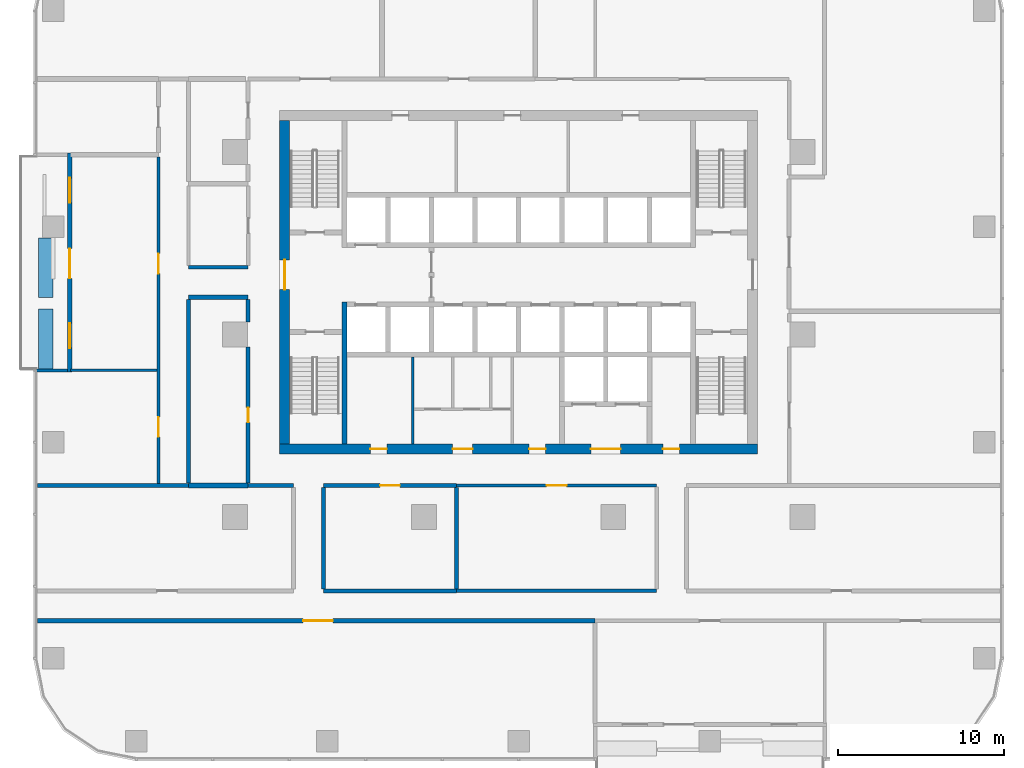
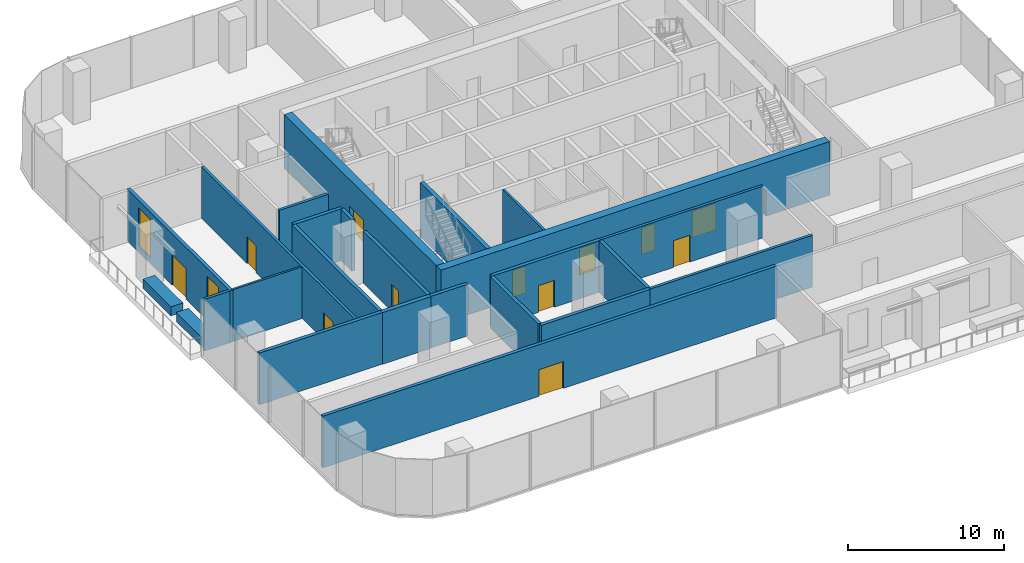
# One storey, part 7 of 15: 25 walls, 13 doors, 2 windows, 15 openings.
"""IFC4 building model written with IfcOpenShell, lengths in metres."""

from ifc_helpers import new_model, si_unit, direction, frame, frame_2d, origin, place, context, subcontext, project, spatial, rectangle, extrude, material, layer, layer_set, type_object, element, fill, save


model = new_model("IFC4")

# Units and contexts
model_context = context("Model", 3, precision=1e-05, world=origin(), true_north=direction((0.0, 1.0)))
body_context = subcontext(model_context, "Body", "Model", "MODEL_VIEW")
ifc_project = project(units=[si_unit("LENGTHUNIT", "METRE"), si_unit("AREAUNIT", "SQUARE_METRE"), si_unit("VOLUMEUNIT", "CUBIC_METRE"), si_unit("PLANEANGLEUNIT", "RADIAN"), si_unit("MASSUNIT", "GRAM", prefix="KILO")], contexts=[model_context])

# Site, building, storey
site_placement = place(None, origin())
site = spatial("IfcSite", under=ifc_project, at=site_placement, CompositionType="ELEMENT")
building_placement = place(site_placement, origin())
building = spatial("IfcBuilding", under=site, at=building_placement, Name="Mopane Tessera Tower", CompositionType="ELEMENT")
storey_placement = place(building_placement, frame((0.0, 0.0, 99.10009765625)))
storey = spatial("IfcBuildingStorey", under=building, at=storey_placement, Name="L19", CompositionType="ELEMENT", Elevation=99.10009765625)

# Wall
ifc_material_1 = material(Name="Fire-rated gypsum board partition")
ifc_layer_1 = layer(ifc_material_1, 0.14990234375)
ifc_layer_set_1 = layer_set([ifc_layer_1], Name="Fire-rated gypsum board partition")
wall_type_1 = type_object("IfcWallType", Name="Core room partition 150 mm", PredefinedType="PARTITIONING", material=ifc_layer_set_1)
wall_1_placement = place(storey_placement, frame((-6.375, -6.60009765625, 0.0), z_axis=(0.0, 0.0, 1.0), x_axis=(0.0, 1.0, 0.0)))
element("IfcWall", 1, at=wall_1_placement, inside=storey, type_object=wall_type_1, Name="L19 Room partition", PredefinedType="PARTITIONING", context=body_context, shape_type="SweptSolid", body=[
    extrude(rectangle(XDim=5.25, YDim=0.14990234375, at=frame_2d((2.625, 0.0))), origin(), (0.0, 0.0, 1.0), 4.199951171875),
])

# Wall, openings, doors
ifc_material_2 = material(Name="Concrete C70/85", Category="concrete")
ifc_layer_2 = layer(ifc_material_2, 0.60009765625)
ifc_layer_set_2 = layer_set([ifc_layer_2], Name="Concrete C70/85")
wall_type_2 = type_object("IfcWallType", Name="Core shear wall 600 mm", PredefinedType="SHEAR", material=ifc_layer_set_2)
wall_2_placement = place(storey_placement, frame((-14.39990234375, -6.89990234375, 0.0), z_axis=(0.0, 0.0, 1.0), x_axis=(1.0, 0.0, 0.0)))
wall_2 = element("IfcWall", 2, at=wall_2_placement, inside=storey, type_object=wall_type_2, Name="L19 Core wall south", PredefinedType="SHEAR", context=body_context, shape_type="SweptSolid", body=[
    extrude(rectangle(XDim=28.7998046875, YDim=0.60009765625, at=frame_2d((14.39990234375, 0.0))), origin(), (0.0, 0.0, 1.0), 4.199951171875),
])
opening_1_placement = place(wall_2_placement, frame((5.46240234375, 0.0, 0.0)))
opening_1 = element("IfcOpeningElement", 3, at=opening_1_placement, cuts=wall_2, Name="Opening RD1", PredefinedType="OPENING", context=body_context, shape_type="SweptSolid", body=[
    extrude(rectangle(XDim=1.0, YDim=2.10009765625, at=frame_2d((0.5, 1.050048828125))), frame((0.0, 0.31201171875, 0.0), z_axis=(0.0, -1.0, 0.0), x_axis=(1.0, 0.0, 0.0)), (0.0, 0.0, 1.0), 0.6240234375),
])
opening_2_placement = place(wall_2_placement, frame((10.425048828125, 0.0, 0.0)))
opening_2 = element("IfcOpeningElement", 4, at=opening_2_placement, cuts=wall_2, Name="Opening WD3", PredefinedType="OPENING", context=body_context, shape_type="SweptSolid", body=[
    extrude(rectangle(XDim=1.199951171875, YDim=2.10009765625, at=frame_2d((0.60009765625, 1.050048828125))), frame((0.0, 0.31201171875, 0.0), z_axis=(0.0, -1.0, 0.0), x_axis=(1.0, 0.0, 0.0)), (0.0, 0.0, 1.0), 0.6240234375),
])
opening_3_placement = place(wall_2_placement, frame((15.02490234375, 0.0, 0.0)))
opening_3 = element("IfcOpeningElement", 5, at=opening_3_placement, cuts=wall_2, Name="Opening RD1", PredefinedType="OPENING", context=body_context, shape_type="SweptSolid", body=[
    extrude(rectangle(XDim=1.0, YDim=2.10009765625, at=frame_2d((0.5, 1.050048828125))), frame((0.0, 0.31201171875, 0.0), z_axis=(0.0, -1.0, 0.0), x_axis=(1.0, 0.0, 0.0)), (0.0, 0.0, 1.0), 0.6240234375),
])
opening_4_placement = place(wall_2_placement, frame((18.75, 0.0, 0.0)))
opening_4 = element("IfcOpeningElement", 6, at=opening_4_placement, cuts=wall_2, Name="Opening SD2", PredefinedType="OPENING", context=body_context, shape_type="SweptSolid", body=[
    extrude(rectangle(XDim=1.800048828125, YDim=2.10009765625, at=frame_2d((0.89990234375, 1.050048828125))), frame((0.0, 0.31201171875, 0.0), z_axis=(0.0, -1.0, 0.0), x_axis=(1.0, 0.0, 0.0)), (0.0, 0.0, 1.0), 0.6240234375),
])
opening_5_placement = place(wall_2_placement, frame((23.08740234375, 0.0, 0.0)))
opening_5 = element("IfcOpeningElement", 7, at=opening_5_placement, cuts=wall_2, Name="Opening RD1", PredefinedType="OPENING", context=body_context, shape_type="SweptSolid", body=[
    extrude(rectangle(XDim=1.0, YDim=2.10009765625, at=frame_2d((0.5, 1.050048828125))), frame((0.0, 0.31201171875, 0.0), z_axis=(0.0, -1.0, 0.0), x_axis=(1.0, 0.0, 0.0)), (0.0, 0.0, 1.0), 0.6240234375),
])
ifc_material_3 = material(Name="Steel fire door", Category="steel")
door_type_1 = type_object("IfcDoorType", Name="Core entrance double door 1800 x 2100", OperationType="DOUBLE_DOOR_SINGLE_SWING", PredefinedType="DOOR", material=ifc_material_3)
door_1_placement = place(opening_4_placement, origin())
door_1 = element("IfcDoor", 8, at=door_1_placement, inside=storey, type_object=door_type_1, Name="L19 Service lobby door", OperationType="DOUBLE_DOOR_SINGLE_SWING", OverallHeight=2.10009765625, OverallWidth=1.800048828125, PredefinedType="DOOR", context=body_context, shape_type="SweptSolid", body=[
    extrude(rectangle(XDim=1.800048828125, YDim=2.10009765625, at=frame_2d((0.89990234375, 1.050048828125))), frame((0.0, 0.02490234375, 0.0), z_axis=(0.0, -1.0, 0.0), x_axis=(1.0, 0.0, 0.0)), (0.0, 0.0, 1.0), 0.050048828125),
])
fill(opening_4, door_1)
ifc_material_4 = material(Name="Timber door", Category="wood")
door_type_2 = type_object("IfcDoorType", Name="Core room door 1000 x 2100", OperationType="SINGLE_SWING_LEFT", PredefinedType="DOOR", material=ifc_material_4)
door_2_placement = place(opening_1_placement, origin())
door_2 = element("IfcDoor", 9, at=door_2_placement, inside=storey, type_object=door_type_2, Name="L19 Room door", OperationType="SINGLE_SWING_LEFT", OverallHeight=2.10009765625, OverallWidth=1.0, PredefinedType="DOOR", context=body_context, shape_type="SweptSolid", body=[
    extrude(rectangle(XDim=1.0, YDim=2.10009765625, at=frame_2d((0.5, 1.050048828125))), frame((0.0, 0.02490234375, 0.0), z_axis=(0.0, -1.0, 0.0), x_axis=(1.0, 0.0, 0.0)), (0.0, 0.0, 1.0), 0.050048828125),
])
fill(opening_1, door_2)
door_3_placement = place(opening_3_placement, origin())
door_3 = element("IfcDoor", 10, at=door_3_placement, inside=storey, type_object=door_type_2, Name="L19 Room door", OperationType="SINGLE_SWING_LEFT", OverallHeight=2.10009765625, OverallWidth=1.0, PredefinedType="DOOR", context=body_context, shape_type="SweptSolid", body=[
    extrude(rectangle(XDim=1.0, YDim=2.10009765625, at=frame_2d((0.5, 1.050048828125))), frame((0.0, 0.02490234375, 0.0), z_axis=(0.0, -1.0, 0.0), x_axis=(1.0, 0.0, 0.0)), (0.0, 0.0, 1.0), 0.050048828125),
])
fill(opening_3, door_3)
door_4_placement = place(opening_5_placement, origin())
door_4 = element("IfcDoor", 11, at=door_4_placement, inside=storey, type_object=door_type_2, Name="L19 Room door", OperationType="SINGLE_SWING_LEFT", OverallHeight=2.10009765625, OverallWidth=1.0, PredefinedType="DOOR", context=body_context, shape_type="SweptSolid", body=[
    extrude(rectangle(XDim=1.0, YDim=2.10009765625, at=frame_2d((0.5, 1.050048828125))), frame((0.0, 0.02490234375, 0.0), z_axis=(0.0, -1.0, 0.0), x_axis=(1.0, 0.0, 0.0)), (0.0, 0.0, 1.0), 0.050048828125),
])
fill(opening_5, door_4)
ifc_material_5 = material(Name="Timber door", Category="wood")
door_type_3 = type_object("IfcDoorType", Name="WC lobby door 1200 x 2100", OperationType="SINGLE_SWING_LEFT", PredefinedType="DOOR", material=ifc_material_5)
door_5_placement = place(opening_2_placement, origin())
door_5 = element("IfcDoor", 12, at=door_5_placement, inside=storey, type_object=door_type_3, Name="L19 WC lobby door", OperationType="SINGLE_SWING_LEFT", OverallHeight=2.10009765625, OverallWidth=1.199951171875, PredefinedType="DOOR", context=body_context, shape_type="SweptSolid", body=[
    extrude(rectangle(XDim=1.199951171875, YDim=2.10009765625, at=frame_2d((0.60009765625, 1.050048828125))), frame((0.0, 0.02490234375, 0.0), z_axis=(0.0, -1.0, 0.0), x_axis=(1.0, 0.0, 0.0)), (0.0, 0.0, 1.0), 0.050048828125),
])
fill(opening_2, door_5)

# Wall, opening, door
wall_3_placement = place(storey_placement, frame((-14.10009765625, -6.60009765625, 0.0), z_axis=(0.0, 0.0, 1.0), x_axis=(0.0, 1.0, 0.0)))
wall_3 = element("IfcWall", 13, at=wall_3_placement, inside=storey, type_object=wall_type_2, Name="L19 Core wall west", PredefinedType="SHEAR", context=body_context, shape_type="SweptSolid", body=[
    extrude(rectangle(XDim=19.5, YDim=0.60009765625, at=frame_2d((9.75, 0.0))), origin(), (0.0, 0.0, 1.0), 4.199951171875),
])
opening_6_placement = place(wall_3_placement, frame((9.300048828125, 0.0, 0.0)))
opening_6 = element("IfcOpeningElement", 14, at=opening_6_placement, cuts=wall_3, Name="Opening SD2", PredefinedType="OPENING", context=body_context, shape_type="SweptSolid", body=[
    extrude(rectangle(XDim=1.800048828125, YDim=2.10009765625, at=frame_2d((0.89990234375, 1.050048828125))), frame((0.0, 0.31201171875, 0.0), z_axis=(0.0, -1.0, 0.0), x_axis=(1.0, 0.0, 0.0)), (0.0, 0.0, 1.0), 0.6240234375),
])
door_6_placement = place(opening_6_placement, origin())
door_6 = element("IfcDoor", 15, at=door_6_placement, inside=storey, type_object=door_type_1, Name="L19 Core entrance door west", OperationType="DOUBLE_DOOR_SINGLE_SWING", OverallHeight=2.10009765625, OverallWidth=1.800048828125, PredefinedType="DOOR", context=body_context, shape_type="SweptSolid", body=[
    extrude(rectangle(XDim=1.800048828125, YDim=2.10009765625, at=frame_2d((0.89990234375, 1.050048828125))), frame((0.0, 0.02490234375, 0.0), z_axis=(0.0, -1.0, 0.0), x_axis=(1.0, 0.0, 0.0)), (0.0, 0.0, 1.0), 0.050048828125),
])
fill(opening_6, door_6)

# Walls
ifc_material_6 = material(Name="Concrete C60/75", Category="concrete")
ifc_layer_3 = layer(ifc_material_6, 0.300048828125)
ifc_layer_set_3 = layer_set([ifc_layer_3], Name="Concrete C60/75")
wall_type_3 = type_object("IfcWallType", Name="Core spine wall 300 mm", PredefinedType="SHEAR", material=ifc_layer_set_3)
wall_4_placement = place(storey_placement, frame((-10.5, -6.60009765625, 0.0), z_axis=(0.0, 0.0, 1.0), x_axis=(0.0, 1.0, 0.0)))
element("IfcWall", 16, at=wall_4_placement, inside=storey, type_object=wall_type_3, Name="L19 Core spine wall", PredefinedType="SHEAR", context=body_context, shape_type="SweptSolid", body=[
    extrude(rectangle(XDim=8.550048828125, YDim=0.300048828125, at=frame_2d((4.27490234375, 0.0))), origin(), (0.0, 0.0, 1.0), 4.199951171875),
])
ifc_material_7 = material(Name="Gypsum board on steel studs, two layers each face, mineral wool infill", Category="steel")
ifc_layer_4 = layer(ifc_material_7, 0.199951171875)
ifc_layer_set_4 = layer_set([ifc_layer_4], Name="Gypsum board on steel studs, two layers each face, mineral wool infill")
wall_type_4 = type_object("IfcWallType", Name="Gypsum board corridor wall 200, rated EI 60", PredefinedType="PARTITIONING", material=ifc_layer_set_4)
wall_5_placement = place(storey_placement, frame((-3.735107421875, -15.449951171875, 0.0), z_axis=(0.0, 0.0, 1.0), x_axis=(1.0, 0.0, 0.0)))
element("IfcWall", 17, at=wall_5_placement, inside=storey, type_object=wall_type_4, Name="Partition L19:002", PredefinedType="PARTITIONING", context=body_context, shape_type="SweptSolid", body=[
    extrude(rectangle(XDim=12.050048828125, YDim=0.199951171875, at=frame_2d((6.02490234375, 0.0))), origin(), (0.0, 0.0, 1.0), 4.0498046875),
])

# Wall, opening, door
wall_6_placement = place(storey_placement, frame((-3.735107421875, -9.10009765625, 0.0), z_axis=(0.0, 0.0, 1.0), x_axis=(1.0, 0.0, 0.0)))
wall_6 = element("IfcWall", 18, at=wall_6_placement, inside=storey, type_object=wall_type_4, Name="Partition L19:006", PredefinedType="PARTITIONING", context=body_context, shape_type="SweptSolid", body=[
    extrude(rectangle(XDim=12.050048828125, YDim=0.199951171875, at=frame_2d((6.02490234375, 0.0))), origin(), (0.0, 0.0, 1.0), 4.0498046875),
])
opening_7_placement = place(wall_6_placement, frame((5.425048828125, 0.0, 0.0)))
opening_7 = element("IfcOpeningElement", 19, at=opening_7_placement, cuts=wall_6, Name="Opening L19-11", PredefinedType="OPENING", context=body_context, shape_type="SweptSolid", body=[
    extrude(rectangle(XDim=1.199951171875, YDim=2.10009765625, at=frame_2d((0.60009765625, 1.050048828125))), frame((0.0, 0.112060546875, 0.0), z_axis=(0.0, -1.0, 0.0), x_axis=(1.0, 0.0, 0.0)), (0.0, 0.0, 1.0), 0.223876953125),
])
ifc_material_8 = material(Name="Timber veneered steel-framed fire door", Category="steel")
door_type_4 = type_object("IfcDoorType", Name="Fire door FD60 1200 x 2100", OperationType="SINGLE_SWING_LEFT", PredefinedType="DOOR", material=ifc_material_8)
door_7_placement = place(opening_7_placement, origin())
door_7 = element("IfcDoor", 20, at=door_7_placement, inside=storey, type_object=door_type_4, Name="Door L19-11", ObjectType="D15A", OperationType="SINGLE_SWING_LEFT", OverallHeight=2.10009765625, OverallWidth=1.199951171875, PredefinedType="DOOR", context=body_context, shape_type="SweptSolid", body=[
    extrude(rectangle(XDim=1.199951171875, YDim=2.10009765625, at=frame_2d((0.60009765625, 1.050048828125))), frame((0.0, 0.02490234375, 0.0), z_axis=(0.0, -1.0, 0.0), x_axis=(1.0, 0.0, 0.0)), (0.0, 0.0, 1.0), 0.050048828125),
])
fill(opening_7, door_7)

# Wall
wall_7_placement = place(storey_placement, frame((-19.89990234375, 4.050048828125, 0.0), z_axis=(0.0, 0.0, 1.0), x_axis=(1.0, 0.0, 0.0)))
element("IfcWall", 21, at=wall_7_placement, inside=storey, type_object=wall_type_4, Name="Partition L19:015", PredefinedType="PARTITIONING", context=body_context, shape_type="SweptSolid", body=[
    extrude(rectangle(XDim=3.599853515625, YDim=0.199951171875, at=frame_2d((1.7998046875, 0.0))), origin(), (0.0, 0.0, 1.0), 4.0498046875),
])

# Wall, openings, doors
wall_8_placement = place(storey_placement, frame((-21.699951171875, -8.97509765625, 0.0), z_axis=(0.0, 0.0, 1.0), x_axis=(0.0, 1.0, 0.0)))
wall_8 = element("IfcWall", 22, at=wall_8_placement, inside=storey, type_object=wall_type_4, Name="Partition L19:024", PredefinedType="PARTITIONING", context=body_context, shape_type="SweptSolid", body=[
    extrude(rectangle(XDim=19.68505859375, YDim=0.199951171875, at=frame_2d((9.842529296875, 0.0))), origin(), (0.0, 0.0, 1.0), 4.0498046875),
])
opening_8_placement = place(wall_8_placement, frame((2.804931640625, 0.0, 0.0)))
opening_8 = element("IfcOpeningElement", 23, at=opening_8_placement, cuts=wall_8, Name="Opening L19-04", PredefinedType="OPENING", context=body_context, shape_type="SweptSolid", body=[
    extrude(rectangle(XDim=1.199951171875, YDim=2.10009765625, at=frame_2d((0.60009765625, 1.050048828125))), frame((0.0, 0.112060546875, 0.0), z_axis=(0.0, -1.0, 0.0), x_axis=(1.0, 0.0, 0.0)), (0.0, 0.0, 1.0), 0.223876953125),
])
opening_9_placement = place(wall_8_placement, frame((12.6474609375, 0.0, 0.0)))
opening_9 = element("IfcOpeningElement", 24, at=opening_9_placement, cuts=wall_8, Name="Opening L19-15", PredefinedType="OPENING", context=body_context, shape_type="SweptSolid", body=[
    extrude(rectangle(XDim=1.199951171875, YDim=2.10009765625, at=frame_2d((0.60009765625, 1.050048828125))), frame((0.0, 0.112060546875, 0.0), z_axis=(0.0, -1.0, 0.0), x_axis=(1.0, 0.0, 0.0)), (0.0, 0.0, 1.0), 0.223876953125),
])
door_8_placement = place(opening_8_placement, origin())
door_8 = element("IfcDoor", 25, at=door_8_placement, inside=storey, type_object=door_type_4, Name="Door L19-04", ObjectType="D15A", OperationType="SINGLE_SWING_LEFT", OverallHeight=2.10009765625, OverallWidth=1.199951171875, PredefinedType="DOOR", context=body_context, shape_type="SweptSolid", body=[
    extrude(rectangle(XDim=1.199951171875, YDim=2.10009765625, at=frame_2d((0.60009765625, 1.050048828125))), frame((0.0, 0.02490234375, 0.0), z_axis=(0.0, -1.0, 0.0), x_axis=(1.0, 0.0, 0.0)), (0.0, 0.0, 1.0), 0.050048828125),
])
fill(opening_8, door_8)
door_9_placement = place(opening_9_placement, origin())
door_9 = element("IfcDoor", 26, at=door_9_placement, inside=storey, type_object=door_type_4, Name="Door L19-15", ObjectType="D15A", OperationType="SINGLE_SWING_RIGHT", OverallHeight=2.10009765625, OverallWidth=1.199951171875, PredefinedType="DOOR", context=body_context, shape_type="SweptSolid", body=[
    extrude(rectangle(XDim=1.199951171875, YDim=2.10009765625, at=frame_2d((0.60009765625, 1.050048828125))), frame((0.0, 0.02490234375, 0.0), z_axis=(0.0, -1.0, 0.0), x_axis=(1.0, 0.0, 0.0)), (0.0, 0.0, 1.0), 0.050048828125),
])
fill(opening_9, door_9)

# Walls
ifc_material_9 = material(Name="Gypsum board on steel studs, mineral wool infill", Category="steel")
ifc_layer_5 = layer(ifc_material_9, 0.14990234375)
ifc_layer_set_5 = layer_set([ifc_layer_5], Name="Gypsum board on steel studs, mineral wool infill")
wall_type_5 = type_object("IfcWallType", Name="Gypsum board partition 150, rated EI 60", PredefinedType="PARTITIONING", material=ifc_layer_set_5)
wall_9_placement = place(storey_placement, frame((-27.0, -2.1650390625, 0.0), z_axis=(0.0, 0.0, 1.0), x_axis=(1.0, 0.0, 0.0)))
element("IfcWall", 27, at=wall_9_placement, inside=storey, type_object=wall_type_5, Name="Partition L19:012", PredefinedType="PARTITIONING", context=body_context, shape_type="SweptSolid", body=[
    extrude(rectangle(XDim=5.199951171875, YDim=0.14990234375, at=frame_2d((2.60009765625, 0.0))), origin(), (0.0, 0.0, 1.0), 4.0498046875),
])
ifc_material_10 = material(Name="Reinforced concrete C32/40 with waterproofing", Category="concrete")
ifc_layer_6 = layer(ifc_material_10, 0.89990234375)
ifc_layer_set_6 = layer_set([ifc_layer_6], Name="Reinforced concrete C32/40 with waterproofing")
wall_type_6 = type_object("IfcWallType", Name="Planter trough 3600 x 900", PredefinedType="STANDARD", material=ifc_layer_set_6)
for number, where, z_axis, x_axis, name in (
    (28, (-28.5, 5.830078125, 0.0), (0.0, 0.0, 1.0), (0.0, -1.0, 0.0), "e:nw:L19:N2:pl0"),
    (29, (-28.5, 1.533447265625, 0.0), (0.0, 0.0, 1.0), (0.0, -1.0, 0.0), "e:nw:L19:N2:pl1"),
):
    element("IfcWall", number, at=place(storey_placement, frame(where, z_axis=z_axis, x_axis=x_axis)), inside=storey, type_object=wall_type_6, Name=name, PredefinedType="STANDARD", context=body_context, shape_type="SweptSolid", body=[
        extrude(rectangle(XDim=3.60009765625, YDim=0.89990234375, at=frame_2d((1.800048828125, 0.0))), origin(), (0.0, 0.0, 1.0), 0.699951171875),
    ])
ifc_material_11 = material(Name="Plastered concrete blockwork C20/25", Category="masonry")
ifc_layer_7 = layer(ifc_material_11, 0.300048828125)
ifc_layer_set_7 = layer_set([ifc_layer_7], Name="Plastered concrete blockwork C20/25")
wall_type_7 = type_object("IfcWallType", Name="Plastered blockwork separation wall 300, rated EI 120", PredefinedType="PARTITIONING", material=ifc_layer_set_7)
wall_10_placement = place(storey_placement, frame((-19.89990234375, -9.10009765625, 0.0), z_axis=(0.0, 0.0, 1.0), x_axis=(1.0, 0.0, 0.0)))
element("IfcWall", 30, at=wall_10_placement, inside=storey, type_object=wall_type_7, Name="Partition L19:011", PredefinedType="PARTITIONING", context=body_context, shape_type="SweptSolid", body=[
    extrude(rectangle(XDim=3.599853515625, YDim=0.300048828125, at=frame_2d((1.7998046875, 0.0))), origin(), (0.0, 0.0, 1.0), 4.0498046875),
])

# Wall, opening, door
ifc_material_12 = material(Name="Plastered concrete blockwork C20/25", Category="masonry")
ifc_layer_8 = layer(ifc_material_12, 0.25)
ifc_layer_set_8 = layer_set([ifc_layer_8], Name="Plastered concrete blockwork C20/25")
wall_type_8 = type_object("IfcWallType", Name="Plastered blockwork wall 250, rated EI 120", PredefinedType="PARTITIONING", material=ifc_layer_set_8)
wall_11_placement = place(storey_placement, frame((-29.0, -17.25, 0.0), z_axis=(0.0, 0.0, 1.0), x_axis=(1.0, 0.0, 0.0)))
wall_11 = element("IfcWall", 31, at=wall_11_placement, inside=storey, type_object=wall_type_8, Name="Partition L19:001", PredefinedType="PARTITIONING", context=body_context, shape_type="SweptSolid", body=[
    extrude(rectangle(XDim=33.610107421875, YDim=0.25, at=frame_2d((16.80517578125, 0.0))), origin(), (0.0, 0.0, 1.0), 4.0498046875),
])
opening_10_placement = place(wall_11_placement, frame((16.0048828125, 0.0, 0.0)))
opening_10 = element("IfcOpeningElement", 32, at=opening_10_placement, cuts=wall_11, Name="Opening L19-14", PredefinedType="OPENING", context=body_context, shape_type="SweptSolid", body=[
    extrude(rectangle(XDim=1.800048828125, YDim=2.10009765625, at=frame_2d((0.89990234375, 1.050048828125))), frame((0.0, 0.136962890625, 0.0), z_axis=(0.0, -1.0, 0.0), x_axis=(1.0, 0.0, 0.0)), (0.0, 0.0, 1.0), 0.27392578125),
])
ifc_material_13 = material(Name="Timber veneered steel-framed fire door", Category="steel")
door_type_5 = type_object("IfcDoorType", Name="Fire door pair FD120 1800 x 2100", OperationType="DOUBLE_DOOR_SINGLE_SWING", PredefinedType="DOOR", material=ifc_material_13)
door_10_placement = place(opening_10_placement, origin())
door_10 = element("IfcDoor", 33, at=door_10_placement, inside=storey, type_object=door_type_5, Name="Door L19-14", ObjectType="D20B", OperationType="DOUBLE_DOOR_SINGLE_SWING", OverallHeight=2.10009765625, OverallWidth=1.800048828125, PredefinedType="DOOR", context=body_context, shape_type="SweptSolid", body=[
    extrude(rectangle(XDim=1.800048828125, YDim=2.10009765625, at=frame_2d((0.89990234375, 1.050048828125))), frame((0.0, 0.02490234375, 0.0), z_axis=(0.0, -1.0, 0.0), x_axis=(1.0, 0.0, 0.0)), (0.0, 0.0, 1.0), 0.050048828125),
])
fill(opening_10, door_10)

# Walls
wall_12_placement = place(storey_placement, frame((-11.77001953125, -15.449951171875, 0.0), z_axis=(0.0, 0.0, 1.0), x_axis=(1.0, 0.0, 0.0)))
element("IfcWall", 34, at=wall_12_placement, inside=storey, type_object=wall_type_8, Name="Partition L19:004", PredefinedType="PARTITIONING", context=body_context, shape_type="SweptSolid", body=[
    extrude(rectangle(XDim=8.034912109375, YDim=0.25, at=frame_2d((4.017578125, 0.0))), origin(), (0.0, 0.0, 1.0), 4.0498046875),
])
wall_13_placement = place(storey_placement, frame((-29.0, -9.10009765625, 0.0), z_axis=(0.0, 0.0, 1.0), x_axis=(1.0, 0.0, 0.0)))
element("IfcWall", 35, at=wall_13_placement, inside=storey, type_object=wall_type_8, Name="Partition L19:007", PredefinedType="PARTITIONING", context=body_context, shape_type="SweptSolid", body=[
    extrude(rectangle(XDim=9.10009765625, YDim=0.25, at=frame_2d((4.550048828125, 0.0))), origin(), (0.0, 0.0, 1.0), 4.0498046875),
])
wall_14_placement = place(storey_placement, frame((-16.300048828125, -9.10009765625, 0.0), z_axis=(0.0, 0.0, 1.0), x_axis=(1.0, 0.0, 0.0)))
element("IfcWall", 36, at=wall_14_placement, inside=storey, type_object=wall_type_8, Name="Partition L19:008", PredefinedType="PARTITIONING", context=body_context, shape_type="SweptSolid", body=[
    extrude(rectangle(XDim=2.72998046875, YDim=0.25, at=frame_2d((1.364990234375, 0.0))), origin(), (0.0, 0.0, 1.0), 4.0498046875),
])

# Wall, opening, door
wall_15_placement = place(storey_placement, frame((-11.77001953125, -9.10009765625, 0.0), z_axis=(0.0, 0.0, 1.0), x_axis=(1.0, 0.0, 0.0)))
wall_15 = element("IfcWall", 37, at=wall_15_placement, inside=storey, type_object=wall_type_8, Name="Partition L19:009", PredefinedType="PARTITIONING", context=body_context, shape_type="SweptSolid", body=[
    extrude(rectangle(XDim=8.034912109375, YDim=0.25, at=frame_2d((4.017578125, 0.0))), origin(), (0.0, 0.0, 1.0), 4.0498046875),
])
opening_11_placement = place(wall_15_placement, frame((3.41748046875, 0.0, 0.0)))
opening_11 = element("IfcOpeningElement", 38, at=opening_11_placement, cuts=wall_15, Name="Opening L19-07", PredefinedType="OPENING", context=body_context, shape_type="SweptSolid", body=[
    extrude(rectangle(XDim=1.199951171875, YDim=2.10009765625, at=frame_2d((0.60009765625, 1.050048828125))), frame((0.0, 0.136962890625, 0.0), z_axis=(0.0, -1.0, 0.0), x_axis=(1.0, 0.0, 0.0)), (0.0, 0.0, 1.0), 0.27392578125),
])
ifc_material_14 = material(Name="Timber veneered steel-framed fire door", Category="steel")
door_type_6 = type_object("IfcDoorType", Name="Fire door FD120 1200 x 2100", OperationType="SINGLE_SWING_LEFT", PredefinedType="DOOR", material=ifc_material_14)
door_11_placement = place(opening_11_placement, origin())
door_11 = element("IfcDoor", 39, at=door_11_placement, inside=storey, type_object=door_type_6, Name="Door L19-07", ObjectType="D15B", OperationType="SINGLE_SWING_RIGHT", OverallHeight=2.10009765625, OverallWidth=1.199951171875, PredefinedType="DOOR", context=body_context, shape_type="SweptSolid", body=[
    extrude(rectangle(XDim=1.199951171875, YDim=2.10009765625, at=frame_2d((0.60009765625, 1.050048828125))), frame((0.0, 0.02490234375, 0.0), z_axis=(0.0, -1.0, 0.0), x_axis=(1.0, 0.0, 0.0)), (0.0, 0.0, 1.0), 0.050048828125),
])
fill(opening_11, door_11)

# Walls
wall_16_placement = place(storey_placement, frame((-19.89990234375, 2.25, 0.0), z_axis=(0.0, 0.0, 1.0), x_axis=(1.0, 0.0, 0.0)))
element("IfcWall", 40, at=wall_16_placement, inside=storey, type_object=wall_type_8, Name="Partition L19:014", PredefinedType="PARTITIONING", context=body_context, shape_type="SweptSolid", body=[
    extrude(rectangle(XDim=3.599853515625, YDim=0.25, at=frame_2d((1.7998046875, 0.0))), origin(), (0.0, 0.0, 1.0), 4.0498046875),
])
wall_17_placement = place(storey_placement, frame((-19.89990234375, -8.949951171875, 0.0), z_axis=(0.0, 0.0, 1.0), x_axis=(0.0, 1.0, 0.0)))
element("IfcWall", 41, at=wall_17_placement, inside=storey, type_object=wall_type_8, Name="Partition L19:027", PredefinedType="PARTITIONING", context=body_context, shape_type="SweptSolid", body=[
    extrude(rectangle(XDim=11.074951171875, YDim=0.25, at=frame_2d((5.53759765625, 0.0))), origin(), (0.0, 0.0, 1.0), 4.0498046875),
])

# Wall, opening, door
wall_18_placement = place(storey_placement, frame((-16.300048828125, -8.949951171875, 0.0), z_axis=(0.0, 0.0, 1.0), x_axis=(0.0, 1.0, 0.0)))
wall_18 = element("IfcWall", 42, at=wall_18_placement, inside=storey, type_object=wall_type_8, Name="Partition L19:030", PredefinedType="PARTITIONING", context=body_context, shape_type="SweptSolid", body=[
    extrude(rectangle(XDim=8.199951171875, YDim=0.25, at=frame_2d((4.10009765625, 0.0))), origin(), (0.0, 0.0, 1.0), 4.0498046875),
])
opening_12_placement = place(wall_18_placement, frame((3.64990234375, 0.0, 0.0)))
opening_12 = element("IfcOpeningElement", 43, at=opening_12_placement, cuts=wall_18, Name="Opening L19-06", PredefinedType="OPENING", context=body_context, shape_type="SweptSolid", body=[
    extrude(rectangle(XDim=0.89990234375, YDim=2.10009765625, at=frame_2d((0.449951171875, 1.050048828125))), frame((0.0, 0.136962890625, 0.0), z_axis=(0.0, -1.0, 0.0), x_axis=(1.0, 0.0, 0.0)), (0.0, 0.0, 1.0), 0.27392578125),
])
ifc_material_15 = material(Name="Timber veneered steel-framed fire door", Category="steel")
door_type_7 = type_object("IfcDoorType", Name="Fire door FD120 900 x 2100", OperationType="SINGLE_SWING_LEFT", PredefinedType="DOOR", material=ifc_material_15)
door_12_placement = place(opening_12_placement, origin())
door_12 = element("IfcDoor", 44, at=door_12_placement, inside=storey, type_object=door_type_7, Name="Door L19-06", ObjectType="D10B", OperationType="SINGLE_SWING_RIGHT", OverallHeight=2.10009765625, OverallWidth=0.89990234375, PredefinedType="DOOR", context=body_context, shape_type="SweptSolid", body=[
    extrude(rectangle(XDim=0.89990234375, YDim=2.10009765625, at=frame_2d((0.449951171875, 1.050048828125))), frame((0.0, 0.02490234375, 0.0), z_axis=(0.0, -1.0, 0.0), x_axis=(1.0, 0.0, 0.0)), (0.0, 0.0, 1.0), 0.050048828125),
])
fill(opening_12, door_12)

# Walls
wall_19_placement = place(storey_placement, frame((-16.300048828125, 0.75, 0.0), z_axis=(0.0, 0.0, 1.0), x_axis=(0.0, 1.0, 0.0)))
element("IfcWall", 45, at=wall_19_placement, inside=storey, type_object=wall_type_8, Name="Partition L19:031", PredefinedType="PARTITIONING", context=body_context, shape_type="SweptSolid", body=[
    extrude(rectangle(XDim=1.375, YDim=0.25, at=frame_2d((0.6875, 0.0))), origin(), (0.0, 0.0, 1.0), 4.0498046875),
])
for number, where, z_axis, x_axis, name in (
    (46, (-11.77001953125, -15.324951171875, 0.0), (0.0, 0.0, 1.0), (0.0, 1.0, 0.0), "Partition L19:035"),
    (47, (-3.735107421875, -15.324951171875, 0.0), (0.0, 0.0, 1.0), (0.0, 1.0, 0.0), "Partition L19:037"),
):
    element("IfcWall", number, at=place(storey_placement, frame(where, z_axis=z_axis, x_axis=x_axis)), inside=storey, type_object=wall_type_8, Name=name, PredefinedType="PARTITIONING", context=body_context, shape_type="SweptSolid", body=[
        extrude(rectangle(XDim=6.099853515625, YDim=0.25, at=frame_2d((3.0498046875, 0.0))), origin(), (0.0, 0.0, 1.0), 4.0498046875),
    ])
ifc_material_16 = material(Name="Blockwork with glazed tile facing", Category="masonry")
ifc_layer_9 = layer(ifc_material_16, 0.199951171875)
ifc_layer_set_9 = layer_set([ifc_layer_9], Name="Blockwork with glazed tile facing")
wall_type_9 = type_object("IfcWallType", Name="Terrace cheek wall 200", PredefinedType="STANDARD", material=ifc_layer_set_9)
wall_20_placement = place(storey_placement, frame((-29.050048828125, -2.166748046875, 0.0), z_axis=(0.0, 0.0, 1.0), x_axis=(1.0, 0.0, 0.0)))
element("IfcWall", 48, at=wall_20_placement, inside=storey, type_object=wall_type_9, Name="e:nw:L19:N2:cheekb", PredefinedType="STANDARD", context=body_context, shape_type="SweptSolid", body=[
    extrude(rectangle(XDim=1.875, YDim=0.199951171875, at=frame_2d((0.9375, 0.0))), origin(), (0.0, 0.0, 1.0), 4.0498046875),
])

# Wall, openings, windows, door
ifc_material_17 = material(Name="Blockwork with turquoise glazed tile facing", Category="masonry")
ifc_layer_10 = layer(ifc_material_17, 0.25)
ifc_layer_set_10 = layer_set([ifc_layer_10], Name="Blockwork with turquoise glazed tile facing")
wall_type_10 = type_object("IfcWallType", Name="Tile-clad external wall 250, turquoise", PredefinedType="STANDARD", material=ifc_layer_set_10)
wall_21_placement = place(storey_placement, frame((-27.050048828125, 10.933349609375, 0.0), z_axis=(0.0, 0.0, 1.0), x_axis=(0.0, -1.0, 0.0)))
wall_21 = element("IfcWall", 49, at=wall_21_placement, inside=storey, type_object=wall_type_10, Name="e:nw:L19:N2:back", PredefinedType="STANDARD", context=body_context, shape_type="SweptSolid", body=[
    extrude(rectangle(XDim=13.199951171875, YDim=0.25, at=frame_2d((6.60009765625, 0.0))), origin(), (0.0, 0.0, 1.0), 4.0498046875),
])
opening_13_placement = place(wall_21_placement, frame((1.5, 0.0, 0.449951171875)))
opening_13 = element("IfcOpeningElement", 50, at=opening_13_placement, cuts=wall_21, Name="Opening NW192A", PredefinedType="OPENING", context=body_context, shape_type="SweptSolid", body=[
    extrude(rectangle(XDim=1.5, YDim=3.0, at=frame_2d((0.75, 1.5))), frame((0.0, 0.136962890625, 0.0), z_axis=(0.0, -1.0, 0.0), x_axis=(1.0, 0.0, 0.0)), (0.0, 0.0, 1.0), 0.27392578125),
])
opening_14_placement = place(wall_21_placement, frame((5.75, 0.0, 0.0)))
opening_14 = element("IfcOpeningElement", 51, at=opening_14_placement, cuts=wall_21, Name="Opening ND192", PredefinedType="OPENING", context=body_context, shape_type="SweptSolid", body=[
    extrude(rectangle(XDim=1.800048828125, YDim=2.39990234375, at=frame_2d((0.89990234375, 1.199951171875))), frame((0.0, 0.136962890625, 0.0), z_axis=(0.0, -1.0, 0.0), x_axis=(1.0, 0.0, 0.0)), (0.0, 0.0, 1.0), 0.27392578125),
])
opening_15_placement = place(wall_21_placement, frame((10.25, 0.0, 0.449951171875)))
opening_15 = element("IfcOpeningElement", 52, at=opening_15_placement, cuts=wall_21, Name="Opening NW192B", PredefinedType="OPENING", context=body_context, shape_type="SweptSolid", body=[
    extrude(rectangle(XDim=1.5, YDim=3.0, at=frame_2d((0.75, 1.5))), frame((0.0, 0.136962890625, 0.0), z_axis=(0.0, -1.0, 0.0), x_axis=(1.0, 0.0, 0.0)), (0.0, 0.0, 1.0), 0.27392578125),
])
ifc_material_18 = material(Name="Clear laminated glass", Category="glass")
window_type = type_object("IfcWindowType", Name="Fixed window 1500 x 3000", PartitioningType="SINGLE_PANEL", PredefinedType="WINDOW", material=ifc_material_18)
window_1_placement = place(opening_13_placement, origin())
window_1 = element("IfcWindow", 53, at=window_1_placement, inside=storey, type_object=window_type, Name="e:nw:L19:N2:win0", OverallHeight=3.0, OverallWidth=1.5, PartitioningType="SINGLE_PANEL", PredefinedType="WINDOW", context=body_context, shape_type="SweptSolid", body=[
    extrude(rectangle(XDim=1.5, YDim=3.0, at=frame_2d((0.75, 1.5))), frame((0.0, 0.030029296875, 0.0), z_axis=(0.0, -1.0, 0.0), x_axis=(1.0, 0.0, 0.0)), (0.0, 0.0, 1.0), 0.06005859375),
])
fill(opening_13, window_1)
window_2_placement = place(opening_15_placement, origin())
window_2 = element("IfcWindow", 54, at=window_2_placement, inside=storey, type_object=window_type, Name="e:nw:L19:N2:win2", OverallHeight=3.0, OverallWidth=1.5, PartitioningType="SINGLE_PANEL", PredefinedType="WINDOW", context=body_context, shape_type="SweptSolid", body=[
    extrude(rectangle(XDim=1.5, YDim=3.0, at=frame_2d((0.75, 1.5))), frame((0.0, 0.030029296875, 0.0), z_axis=(0.0, -1.0, 0.0), x_axis=(1.0, 0.0, 0.0)), (0.0, 0.0, 1.0), 0.06005859375),
])
fill(opening_15, window_2)
ifc_material_19 = material(Name="Aluminium and clear glass", Category="aluminium")
door_type_8 = type_object("IfcDoorType", Name="Terrace double door 1800 x 2400", OperationType="DOUBLE_DOOR_SINGLE_SWING", PredefinedType="DOOR", material=ifc_material_19)
door_13_placement = place(opening_14_placement, origin())
door_13 = element("IfcDoor", 55, at=door_13_placement, inside=storey, type_object=door_type_8, Name="e:nw:L19:N2:door", ObjectType="D1", OperationType="DOUBLE_DOOR_SINGLE_SWING", OverallHeight=2.39990234375, OverallWidth=1.800048828125, PredefinedType="DOOR", context=body_context, shape_type="SweptSolid", body=[
    extrude(rectangle(XDim=1.800048828125, YDim=2.39990234375, at=frame_2d((0.89990234375, 1.199951171875))), frame((0.0, 0.02490234375, 0.0), z_axis=(0.0, -1.0, 0.0), x_axis=(1.0, 0.0, 0.0)), (0.0, 0.0, 1.0), 0.050048828125),
])
fill(opening_14, door_13)

save(model, "model.ifc")
